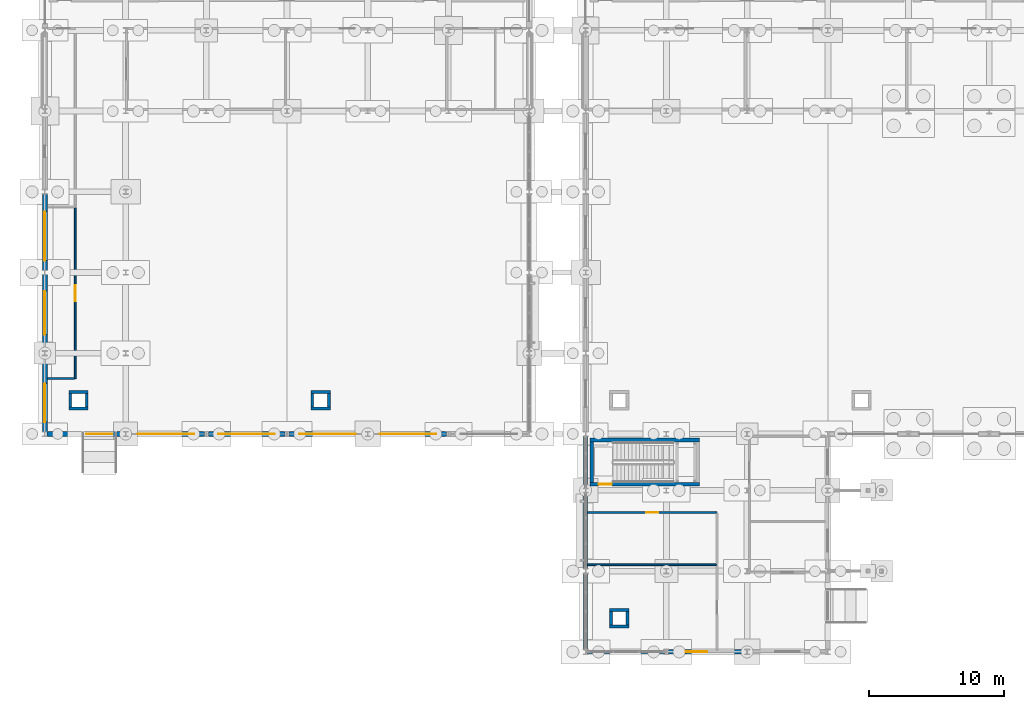
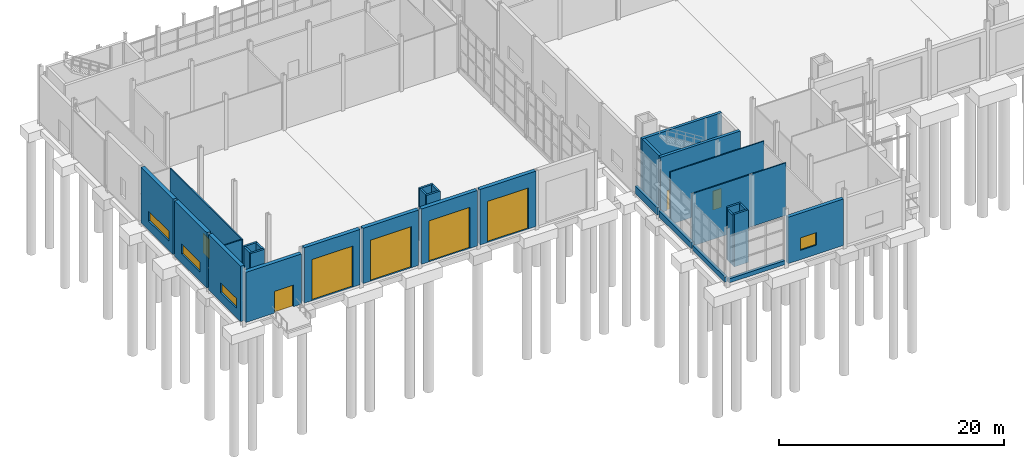
# One storey, part 92 of 120: 32 walls, 8 doors, 4 windows, 12 openings.
"""IFC4 building model written with IfcOpenShell, lengths in metres."""

from ifc_helpers import new_model, si_unit, direction, frame, frame_2d, origin, place, context, subcontext, project, spatial, rectangle, extrude, material, layer, layer_set, type_object, element, fill, save


model = new_model("IFC4")

# Units and contexts
model_context = context("Model", 3, precision=1e-05, world=origin(), true_north=direction((0.0, 1.0)))
body_context = subcontext(model_context, "Body", "Model", "MODEL_VIEW")
ifc_project = project(units=[si_unit("LENGTHUNIT", "METRE"), si_unit("AREAUNIT", "SQUARE_METRE"), si_unit("VOLUMEUNIT", "CUBIC_METRE"), si_unit("PLANEANGLEUNIT", "RADIAN"), si_unit("MASSUNIT", "GRAM", prefix="KILO")], contexts=[model_context])

# Site, building, storey
site_placement = place(None, origin())
site = spatial("IfcSite", under=ifc_project, at=site_placement, CompositionType="ELEMENT")
building_placement = place(site_placement, origin())
building = spatial("IfcBuilding", under=site, at=building_placement, Name="Siltcreek Boulevard Central Fire Station", CompositionType="ELEMENT")
storey_placement = place(building_placement, origin())
storey = spatial("IfcBuildingStorey", under=building, at=storey_placement, Name="L01", CompositionType="ELEMENT", Elevation=0.0)

# Wall, opening, door
ifc_material_1 = material(Name="Concrete C40/50", Category="concrete")
ifc_layer_1 = layer(ifc_material_1, 0.280029296875, Name="Concrete C40/50")
ifc_layer_set_1 = layer_set([ifc_layer_1], Name="Concrete C40/50")
wall_type_1 = type_object("IfcWallType", Name="CW_SHEAR280", PredefinedType="SHEAR", material=ifc_layer_set_1)
wall_1_placement = place(storey_placement, frame((42.320068359375, 14.260009765625, 0.0), z_axis=(0.0, 0.0, 1.0), x_axis=(1.0, 0.0, 0.0)))
wall_1 = element("IfcWall", 1, at=wall_1_placement, inside=storey, type_object=wall_type_1, Name="L01 ST-V1P stair enclosure south shear wall", PredefinedType="SHEAR", context=body_context, shape_type="SweptSolid", body=[
    extrude(rectangle(XDim=8.159912109375, YDim=0.280029296875, at=frame_2d((4.080078125, 0.0))), origin(), (0.0, 0.0, 1.0), 6.0),
])
opening_1_placement = place(wall_1_placement, frame((0.64990234375, 0.0, 0.0)))
opening_1 = element("IfcOpeningElement", 2, at=opening_1_placement, cuts=wall_1, Name="Opening SD-018", PredefinedType="OPENING", context=body_context, shape_type="SweptSolid", body=[
    extrude(rectangle(XDim=0.97998046875, YDim=2.14990234375, at=frame_2d((0.489990234375, 1.074951171875))), frame((0.0, 0.14990234375, 0.0), z_axis=(0.0, -1.0, 0.0), x_axis=(1.0, 0.0, 0.0)), (0.0, 0.0, 1.0), 0.300048828125),
])
ifc_material_2 = material(Name="Hollow metal 90-min enclosed stair door")
door_type_1 = type_object("IfcDoorType", Name="DR_ST_098X215", OperationType="NOTDEFINED", PredefinedType="DOOR", material=ifc_material_2)
door_1_placement = place(opening_1_placement, origin())
door_1 = element("IfcDoor", 3, at=door_1_placement, inside=storey, type_object=door_type_1, Name="L01 ST-V1P enclosed exit stair door SD-018", OperationType="SINGLE_SWING_LEFT", OverallHeight=2.14990234375, OverallWidth=0.97998046875, PredefinedType="DOOR", context=body_context, shape_type="SweptSolid", body=[
    extrude(rectangle(XDim=0.97998046875, YDim=2.14990234375, at=frame_2d((0.489990234375, 1.074951171875))), frame((0.0, 0.02490234375, 0.0), z_axis=(0.0, -1.0, 0.0), x_axis=(1.0, 0.0, 0.0)), (0.0, 0.0, 1.0), 0.050048828125),
])
fill(opening_1, door_1)

# Walls
wall_2_placement = place(storey_placement, frame((50.47998046875, 17.5400390625, 0.0), z_axis=(0.0, 0.0, 1.0), x_axis=(-1.0, 0.0, 0.0)))
element("IfcWall", 4, at=wall_2_placement, inside=storey, type_object=wall_type_1, Name="L01 ST-V1P stair enclosure north shear wall", PredefinedType="SHEAR", context=body_context, shape_type="SweptSolid", body=[
    extrude(rectangle(XDim=8.159912109375, YDim=0.280029296875, at=frame_2d((4.080078125, 0.0))), origin(), (0.0, 0.0, 1.0), 6.0),
])
wall_3_placement = place(storey_placement, frame((42.4599609375, 17.39990234375, 0.0), z_axis=(0.0, 0.0, 1.0), x_axis=(0.0, -1.0, 0.0)))
element("IfcWall", 5, at=wall_3_placement, inside=storey, type_object=wall_type_1, Name="L01 ST-V1P stair enclosure west shear wall", PredefinedType="SHEAR", context=body_context, shape_type="SweptSolid", body=[
    extrude(rectangle(XDim=3.0, YDim=0.280029296875, at=frame_2d((1.5, 0.0))), origin(), (0.0, 0.0, 1.0), 6.0),
])

# Wall, opening, window
ifc_material_3 = material(Name="Terracotta brick rainscreen on steel stud", Category="masonry")
ifc_layer_2 = layer(ifc_material_3, 0.35009765625, Name="Terracotta brick rainscreen on steel stud")
ifc_layer_set_2 = layer_set([ifc_layer_2], Name="Terracotta brick rainscreen on steel stud")
wall_type_2 = type_object("IfcWallType", Name="EW_BRICK350", PredefinedType="STANDARD", material=ifc_layer_set_2)
wall_4_placement = place(storey_placement, frame((48.14501953125, 1.800048828125, 0.0), z_axis=(0.0, 0.0, 1.0), x_axis=(1.0, 0.0, 0.0)))
wall_4 = element("IfcWall", 6, at=wall_4_placement, inside=storey, type_object=wall_type_2, Name="L01 V1 exterior insulated rainscreen wall WL-EXT-L01-0002", PredefinedType="STANDARD", context=body_context, shape_type="SweptSolid", body=[
    extrude(rectangle(XDim=5.7099609375, YDim=0.35009765625, at=frame_2d((2.85498046875, 0.0))), origin(), (0.0, 0.0, 1.0), 5.034912109375),
])
opening_2_placement = place(wall_4_placement, frame((1.3046875, 0.0, 1.0)))
opening_2 = element("IfcOpeningElement", 7, at=opening_2_placement, cuts=wall_4, Name="Opening WN07", PredefinedType="OPENING", context=body_context, shape_type="SweptSolid", body=[
    extrude(rectangle(XDim=1.60009765625, YDim=1.360107421875, at=frame_2d((0.800048828125, 0.68017578125))), frame((0.0, 0.18505859375, 0.0), z_axis=(0.0, -1.0, 0.0), x_axis=(1.0, 0.0, 0.0)), (0.0, 0.0, 1.0), 0.3701171875),
])
ifc_material_4 = material(Name="Thermally broken aluminum frame with low-E insulated glass", Category="aluminium")
window_type_1 = type_object("IfcWindowType", Name="WN_PB_160X136", PartitioningType="SINGLE_PANEL", PredefinedType="WINDOW", material=ifc_material_4)
window_1_placement = place(opening_2_placement, origin())
window_1 = element("IfcWindow", 8, at=window_1_placement, inside=storey, type_object=window_type_1, Name="L01 V1 exterior window WN-0001", OverallHeight=1.360107421875, OverallWidth=1.60009765625, PartitioningType="SINGLE_PANEL", PredefinedType="WINDOW", context=body_context, shape_type="SweptSolid", body=[
    extrude(rectangle(XDim=1.60009765625, YDim=1.360107421875, at=frame_2d((0.800048828125, 0.68017578125))), frame((0.0, 0.030029296875, 0.0), z_axis=(0.0, -1.0, 0.0), x_axis=(1.0, 0.0, 0.0)), (0.0, 0.0, 1.0), 0.06005859375),
])
fill(opening_2, window_1)

# Wall, opening, door
ifc_material_5 = material(Name="Terracotta brick rainscreen on insulated CMU", Category="masonry")
ifc_layer_3 = layer(ifc_material_5, 0.389892578125, Name="Terracotta brick rainscreen on insulated CMU")
ifc_layer_set_3 = layer_set([ifc_layer_3], Name="Terracotta brick rainscreen on insulated CMU")
wall_type_3 = type_object("IfcWallType", Name="EW_BRICK390", PredefinedType="STANDARD", material=ifc_layer_set_3)
wall_5_placement = place(storey_placement, frame((1.945068359375, 18.0, 0.0), z_axis=(0.0, 0.0, 1.0), x_axis=(1.0, 0.0, 0.0)))
wall_5 = element("IfcWall", 9, at=wall_5_placement, inside=storey, type_object=wall_type_3, Name="L01 V4 exterior insulated rainscreen wall WL-EXT-L01-0223", PredefinedType="STANDARD", context=body_context, shape_type="SweptSolid", body=[
    extrude(rectangle(XDim=5.7099609375, YDim=0.389892578125, at=frame_2d((2.85498046875, 0.0))), origin(), (0.0, 0.0, 1.0), 5.43310546875),
])
opening_3_placement = place(wall_5_placement, frame((2.929931640625, 0.0, 0.0)))
opening_3 = element("IfcOpeningElement", 10, at=opening_3_placement, cuts=wall_5, Name="Opening ED-118", PredefinedType="OPENING", context=body_context, shape_type="SweptSolid", body=[
    extrude(rectangle(XDim=1.949951171875, YDim=2.35009765625, at=frame_2d((0.97509765625, 1.175048828125))), frame((0.0, 0.204833984375, 0.0), z_axis=(0.0, -1.0, 0.0), x_axis=(1.0, 0.0, 0.0)), (0.0, 0.0, 1.0), 0.409912109375),
])
ifc_material_6 = material(Name="Hollow metal insulated exit discharge pair")
door_type_2 = type_object("IfcDoorType", Name="DR_EXT_195X235", OperationType="NOTDEFINED", PredefinedType="DOOR", material=ifc_material_6)
door_2_placement = place(opening_3_placement, frame((1.949951171875, 0.0, 0.0), z_axis=(0.0, 0.0, 1.0), x_axis=(-1.0, 0.0, 0.0)))
door_2 = element("IfcDoor", 11, at=door_2_placement, inside=storey, type_object=door_type_2, Name="Ground level pedestrian final exit door ED-118", OperationType="DOUBLE_DOOR_SINGLE_SWING", OverallHeight=2.35009765625, OverallWidth=1.949951171875, PredefinedType="DOOR", context=body_context, shape_type="SweptSolid", body=[
    extrude(rectangle(XDim=1.949951171875, YDim=2.35009765625, at=frame_2d((0.97509765625, 1.175048828125))), frame((0.0, 0.02490234375, 0.0), z_axis=(0.0, -1.0, 0.0), x_axis=(1.0, 0.0, 0.0)), (0.0, 0.0, 1.0), 0.050048828125),
])
fill(opening_3, door_2)

wall_6_placement = place(storey_placement, frame((7.945068359375, 18.0, 0.0), z_axis=(0.0, 0.0, 1.0), x_axis=(1.0, 0.0, 0.0)))
wall_6 = element("IfcWall", 12, at=wall_6_placement, inside=storey, type_object=wall_type_3, Name="L01 V4 exterior insulated rainscreen wall WL-EXT-L01-0224", PredefinedType="STANDARD", context=body_context, shape_type="SweptSolid", body=[
    extrude(rectangle(XDim=5.7099609375, YDim=0.389892578125, at=frame_2d((2.85498046875, 0.0))), origin(), (0.0, 0.0, 1.0), 6.0),
])
opening_4_placement = place(wall_6_placement, frame((0.7548828125, 0.0, 0.0)))
opening_4 = element("IfcOpeningElement", 13, at=opening_4_placement, cuts=wall_6, Name="Opening FBD-19", PredefinedType="OPENING", context=body_context, shape_type="SweptSolid", body=[
    extrude(rectangle(XDim=4.199951171875, YDim=4.449951171875, at=frame_2d((2.10009765625, 2.22509765625))), frame((0.0, 0.204833984375, 0.0), z_axis=(0.0, -1.0, 0.0), x_axis=(1.0, 0.0, 0.0)), (0.0, 0.0, 1.0), 0.409912109375),
])
ifc_material_7 = material(Name="Insulated glazed sectional fleet bay door")
door_type_3 = type_object("IfcDoorType", Name="DR_BAY_420X445", OperationType="NOTDEFINED", PredefinedType="DOOR", material=ifc_material_7)
door_3_placement = place(opening_4_placement, frame((4.199951171875, 0.0, 0.0), z_axis=(0.0, 0.0, 1.0), x_axis=(-1.0, 0.0, 0.0)))
door_3 = element("IfcDoor", 14, at=door_3_placement, inside=storey, type_object=door_type_3, Name="Fleet overhead vehicle bay door FBD-19", OperationType="ROLLINGUP", OverallHeight=4.449951171875, OverallWidth=4.199951171875, PredefinedType="DOOR", context=body_context, shape_type="SweptSolid", body=[
    extrude(rectangle(XDim=4.199951171875, YDim=4.449951171875, at=frame_2d((2.10009765625, 2.22509765625))), frame((0.0, 0.02490234375, 0.0), z_axis=(0.0, -1.0, 0.0), x_axis=(1.0, 0.0, 0.0)), (0.0, 0.0, 1.0), 0.050048828125),
])
fill(opening_4, door_3)

wall_7_placement = place(storey_placement, frame((13.945068359375, 18.0, 0.0), z_axis=(0.0, 0.0, 1.0), x_axis=(1.0, 0.0, 0.0)))
wall_7 = element("IfcWall", 15, at=wall_7_placement, inside=storey, type_object=wall_type_3, Name="L01 V4 exterior insulated rainscreen wall WL-EXT-L01-0225", PredefinedType="STANDARD", context=body_context, shape_type="SweptSolid", body=[
    extrude(rectangle(XDim=5.7099609375, YDim=0.389892578125, at=frame_2d((2.85498046875, 0.0))), origin(), (0.0, 0.0, 1.0), 6.0),
])
opening_5_placement = place(wall_7_placement, frame((0.7548828125, 0.0, 0.0)))
opening_5 = element("IfcOpeningElement", 16, at=opening_5_placement, cuts=wall_7, Name="Opening FBD-20", PredefinedType="OPENING", context=body_context, shape_type="SweptSolid", body=[
    extrude(rectangle(XDim=4.199951171875, YDim=4.449951171875, at=frame_2d((2.10009765625, 2.22509765625))), frame((0.0, 0.204833984375, 0.0), z_axis=(0.0, -1.0, 0.0), x_axis=(1.0, 0.0, 0.0)), (0.0, 0.0, 1.0), 0.409912109375),
])
door_4_placement = place(opening_5_placement, frame((4.199951171875, 0.0, 0.0), z_axis=(0.0, 0.0, 1.0), x_axis=(-1.0, 0.0, 0.0)))
door_4 = element("IfcDoor", 17, at=door_4_placement, inside=storey, type_object=door_type_3, Name="Fleet overhead vehicle bay door FBD-20", OperationType="ROLLINGUP", OverallHeight=4.449951171875, OverallWidth=4.199951171875, PredefinedType="DOOR", context=body_context, shape_type="SweptSolid", body=[
    extrude(rectangle(XDim=4.199951171875, YDim=4.449951171875, at=frame_2d((2.10009765625, 2.22509765625))), frame((0.0, 0.02490234375, 0.0), z_axis=(0.0, -1.0, 0.0), x_axis=(1.0, 0.0, 0.0)), (0.0, 0.0, 1.0), 0.050048828125),
])
fill(opening_5, door_4)

wall_8_placement = place(storey_placement, frame((19.945068359375, 18.0, 0.0), z_axis=(0.0, 0.0, 1.0), x_axis=(1.0, 0.0, 0.0)))
wall_8 = element("IfcWall", 18, at=wall_8_placement, inside=storey, type_object=wall_type_3, Name="L01 V4 exterior insulated rainscreen wall WL-EXT-L01-0226", PredefinedType="STANDARD", context=body_context, shape_type="SweptSolid", body=[
    extrude(rectangle(XDim=5.7099609375, YDim=0.389892578125, at=frame_2d((2.85498046875, 0.0))), origin(), (0.0, 0.0, 1.0), 6.0),
])
opening_6_placement = place(wall_8_placement, frame((0.7548828125, 0.0, 0.0)))
opening_6 = element("IfcOpeningElement", 19, at=opening_6_placement, cuts=wall_8, Name="Opening FBD-21", PredefinedType="OPENING", context=body_context, shape_type="SweptSolid", body=[
    extrude(rectangle(XDim=4.199951171875, YDim=4.449951171875, at=frame_2d((2.10009765625, 2.22509765625))), frame((0.0, 0.204833984375, 0.0), z_axis=(0.0, -1.0, 0.0), x_axis=(1.0, 0.0, 0.0)), (0.0, 0.0, 1.0), 0.409912109375),
])
door_5_placement = place(opening_6_placement, frame((4.199951171875, 0.0, 0.0), z_axis=(0.0, 0.0, 1.0), x_axis=(-1.0, 0.0, 0.0)))
door_5 = element("IfcDoor", 20, at=door_5_placement, inside=storey, type_object=door_type_3, Name="Fleet overhead vehicle bay door FBD-21", OperationType="ROLLINGUP", OverallHeight=4.449951171875, OverallWidth=4.199951171875, PredefinedType="DOOR", context=body_context, shape_type="SweptSolid", body=[
    extrude(rectangle(XDim=4.199951171875, YDim=4.449951171875, at=frame_2d((2.10009765625, 2.22509765625))), frame((0.0, 0.02490234375, 0.0), z_axis=(0.0, -1.0, 0.0), x_axis=(1.0, 0.0, 0.0)), (0.0, 0.0, 1.0), 0.050048828125),
])
fill(opening_6, door_5)

wall_9_placement = place(storey_placement, frame((25.945068359375, 18.0, 0.0), z_axis=(0.0, 0.0, 1.0), x_axis=(1.0, 0.0, 0.0)))
wall_9 = element("IfcWall", 21, at=wall_9_placement, inside=storey, type_object=wall_type_3, Name="L01 V4 exterior insulated rainscreen wall WL-EXT-L01-0227", PredefinedType="STANDARD", context=body_context, shape_type="SweptSolid", body=[
    extrude(rectangle(XDim=5.7099609375, YDim=0.389892578125, at=frame_2d((2.85498046875, 0.0))), origin(), (0.0, 0.0, 1.0), 6.0),
])
opening_7_placement = place(wall_9_placement, frame((0.7548828125, 0.0, 0.0)))
opening_7 = element("IfcOpeningElement", 22, at=opening_7_placement, cuts=wall_9, Name="Opening FBD-22", PredefinedType="OPENING", context=body_context, shape_type="SweptSolid", body=[
    extrude(rectangle(XDim=4.199951171875, YDim=4.449951171875, at=frame_2d((2.10009765625, 2.22509765625))), frame((0.0, 0.204833984375, 0.0), z_axis=(0.0, -1.0, 0.0), x_axis=(1.0, 0.0, 0.0)), (0.0, 0.0, 1.0), 0.409912109375),
])
door_6_placement = place(opening_7_placement, frame((4.199951171875, 0.0, 0.0), z_axis=(0.0, 0.0, 1.0), x_axis=(-1.0, 0.0, 0.0)))
door_6 = element("IfcDoor", 23, at=door_6_placement, inside=storey, type_object=door_type_3, Name="Fleet overhead vehicle bay door FBD-22", OperationType="ROLLINGUP", OverallHeight=4.449951171875, OverallWidth=4.199951171875, PredefinedType="DOOR", context=body_context, shape_type="SweptSolid", body=[
    extrude(rectangle(XDim=4.199951171875, YDim=4.449951171875, at=frame_2d((2.10009765625, 2.22509765625))), frame((0.0, 0.02490234375, 0.0), z_axis=(0.0, -1.0, 0.0), x_axis=(1.0, 0.0, 0.0)), (0.0, 0.0, 1.0), 0.050048828125),
])
fill(opening_7, door_6)

# Wall, opening, window
wall_10_placement = place(storey_placement, frame((1.800048828125, 23.85498046875, 0.0), z_axis=(0.0, 0.0, 1.0), x_axis=(0.0, -1.0, 0.0)))
wall_10 = element("IfcWall", 24, at=wall_10_placement, inside=storey, type_object=wall_type_3, Name="L01 V4 exterior insulated rainscreen wall WL-EXT-L01-0235", PredefinedType="STANDARD", context=body_context, shape_type="SweptSolid", body=[
    extrude(rectangle(XDim=5.7099609375, YDim=0.389892578125, at=frame_2d((2.85498046875, 0.0))), origin(), (0.0, 0.0, 1.0), 6.0),
])
opening_8_placement = place(wall_10_placement, frame((2.12109375, 0.0, 1.0)))
opening_8 = element("IfcOpeningElement", 25, at=opening_8_placement, cuts=wall_10, Name="Opening WN32", PredefinedType="OPENING", context=body_context, shape_type="SweptSolid", body=[
    extrude(rectangle(XDim=2.85009765625, YDim=1.080078125, at=frame_2d((1.425048828125, 0.5400390625))), frame((0.0, 0.204833984375, 0.0), z_axis=(0.0, -1.0, 0.0), x_axis=(1.0, 0.0, 0.0)), (0.0, 0.0, 1.0), 0.409912109375),
])
window_type_2 = type_object("IfcWindowType", Name="WN_CL_285X108", PartitioningType="SINGLE_PANEL", PredefinedType="WINDOW", material=ifc_material_4)
window_2_placement = place(opening_8_placement, origin())
window_2 = element("IfcWindow", 26, at=window_2_placement, inside=storey, type_object=window_type_2, Name="L01 V4 exterior window WN-0099", OverallHeight=1.080078125, OverallWidth=2.85009765625, PartitioningType="SINGLE_PANEL", PredefinedType="WINDOW", context=body_context, shape_type="SweptSolid", body=[
    extrude(rectangle(XDim=2.85009765625, YDim=1.080078125, at=frame_2d((1.425048828125, 0.5400390625))), frame((0.0, 0.030029296875, 0.0), z_axis=(0.0, -1.0, 0.0), x_axis=(1.0, 0.0, 0.0)), (0.0, 0.0, 1.0), 0.06005859375),
])
fill(opening_8, window_2)

wall_11_placement = place(storey_placement, frame((1.800048828125, 29.85498046875, 0.0), z_axis=(0.0, 0.0, 1.0), x_axis=(0.0, -1.0, 0.0)))
wall_11 = element("IfcWall", 27, at=wall_11_placement, inside=storey, type_object=wall_type_3, Name="L01 V4 exterior insulated rainscreen wall WL-EXT-L01-0236", PredefinedType="STANDARD", context=body_context, shape_type="SweptSolid", body=[
    extrude(rectangle(XDim=5.7099609375, YDim=0.389892578125, at=frame_2d((2.85498046875, 0.0))), origin(), (0.0, 0.0, 1.0), 6.0),
])
opening_9_placement = place(wall_11_placement, frame((1.22998046875, 0.0, 1.0)))
opening_9 = element("IfcOpeningElement", 28, at=opening_9_placement, cuts=wall_11, Name="Opening WN33", PredefinedType="OPENING", context=body_context, shape_type="SweptSolid", body=[
    extrude(rectangle(XDim=3.25, YDim=1.080078125, at=frame_2d((1.625, 0.5400390625))), frame((0.0, 0.204833984375, 0.0), z_axis=(0.0, -1.0, 0.0), x_axis=(1.0, 0.0, 0.0)), (0.0, 0.0, 1.0), 0.409912109375),
])
window_type_3 = type_object("IfcWindowType", Name="WN_CL_325X108", PartitioningType="SINGLE_PANEL", PredefinedType="WINDOW", material=ifc_material_4)
window_3_placement = place(opening_9_placement, origin())
window_3 = element("IfcWindow", 29, at=window_3_placement, inside=storey, type_object=window_type_3, Name="L01 V4 exterior window WN-0100", OverallHeight=1.080078125, OverallWidth=3.25, PartitioningType="SINGLE_PANEL", PredefinedType="WINDOW", context=body_context, shape_type="SweptSolid", body=[
    extrude(rectangle(XDim=3.25, YDim=1.080078125, at=frame_2d((1.625, 0.5400390625))), frame((0.0, 0.030029296875, 0.0), z_axis=(0.0, -1.0, 0.0), x_axis=(1.0, 0.0, 0.0)), (0.0, 0.0, 1.0), 0.06005859375),
])
fill(opening_9, window_3)

wall_12_placement = place(storey_placement, frame((1.800048828125, 35.85498046875, 0.0), z_axis=(0.0, 0.0, 1.0), x_axis=(0.0, -1.0, 0.0)))
wall_12 = element("IfcWall", 30, at=wall_12_placement, inside=storey, type_object=wall_type_3, Name="L01 V4 exterior insulated rainscreen wall WL-EXT-L01-0237", PredefinedType="STANDARD", context=body_context, shape_type="SweptSolid", body=[
    extrude(rectangle(XDim=5.7099609375, YDim=0.389892578125, at=frame_2d((2.85498046875, 0.0))), origin(), (0.0, 0.0, 1.0), 6.0),
])
opening_10_placement = place(wall_12_placement, frame((1.3291015625, 0.0, 1.0)))
opening_10 = element("IfcOpeningElement", 31, at=opening_10_placement, cuts=wall_12, Name="Opening WN34", PredefinedType="OPENING", context=body_context, shape_type="SweptSolid", body=[
    extrude(rectangle(XDim=3.64990234375, YDim=1.080078125, at=frame_2d((1.824951171875, 0.5400390625))), frame((0.0, 0.204833984375, 0.0), z_axis=(0.0, -1.0, 0.0), x_axis=(1.0, 0.0, 0.0)), (0.0, 0.0, 1.0), 0.409912109375),
])
window_type_4 = type_object("IfcWindowType", Name="WN_CL_365X108", PartitioningType="SINGLE_PANEL", PredefinedType="WINDOW", material=ifc_material_4)
window_4_placement = place(opening_10_placement, origin())
window_4 = element("IfcWindow", 32, at=window_4_placement, inside=storey, type_object=window_type_4, Name="L01 V4 exterior window WN-0101", OverallHeight=1.080078125, OverallWidth=3.64990234375, PartitioningType="SINGLE_PANEL", PredefinedType="WINDOW", context=body_context, shape_type="SweptSolid", body=[
    extrude(rectangle(XDim=3.64990234375, YDim=1.080078125, at=frame_2d((1.824951171875, 0.5400390625))), frame((0.0, 0.030029296875, 0.0), z_axis=(0.0, -1.0, 0.0), x_axis=(1.0, 0.0, 0.0)), (0.0, 0.0, 1.0), 0.06005859375),
])
fill(opening_10, window_4)

# Walls
ifc_material_8 = material(Name="White ribbed aluminum spandrel wall", Category="aluminium")
ifc_layer_4 = layer(ifc_material_8, 0.2900390625, Name="White ribbed aluminum spandrel wall")
ifc_layer_set_4 = layer_set([ifc_layer_4], Name="White ribbed aluminum spandrel wall")
wall_type_4 = type_object("IfcWallType", Name="EW_METAL290", PredefinedType="STANDARD", material=ifc_layer_set_4)
wall_13_placement = place(storey_placement, frame((42.14501953125, 1.800048828125, 0.0), z_axis=(0.0, 0.0, 1.0), x_axis=(1.0, 0.0, 0.0)))
element("IfcWall", 33, at=wall_13_placement, inside=storey, type_object=wall_type_4, Name="L01 V1 curtain-wall sill spandrel 0001", PredefinedType="STANDARD", context=body_context, shape_type="SweptSolid", body=[
    extrude(rectangle(XDim=5.7099609375, YDim=0.2900390625, at=frame_2d((2.85498046875, 0.0))), origin(), (0.0, 0.0, 1.0), 0.43994140625),
])
wall_14_placement = place(storey_placement, frame((42.0, 7.655029296875, 0.0), z_axis=(0.0, 0.0, 1.0), x_axis=(0.0, -1.0, 0.0)))
element("IfcWall", 34, at=wall_14_placement, inside=storey, type_object=wall_type_4, Name="L01 V1 curtain-wall sill spandrel 0017", PredefinedType="STANDARD", context=body_context, shape_type="SweptSolid", body=[
    extrude(rectangle(XDim=5.7099609375, YDim=0.2900390625, at=frame_2d((2.85498046875, 0.0))), origin(), (0.0, 0.0, 1.0), 0.56005859375),
])
wall_15_placement = place(storey_placement, frame((42.0, 13.655029296875, 0.0), z_axis=(0.0, 0.0, 1.0), x_axis=(0.0, -1.0, 0.0)))
element("IfcWall", 35, at=wall_15_placement, inside=storey, type_object=wall_type_4, Name="L01 V1 curtain-wall sill spandrel 0018", PredefinedType="STANDARD", context=body_context, shape_type="SweptSolid", body=[
    extrude(rectangle(XDim=5.7099609375, YDim=0.2900390625, at=frame_2d((2.85498046875, 0.0))), origin(), (0.0, 0.0, 1.0), 0.679931640625),
])
wall_16_placement = place(storey_placement, frame((42.0, 17.85498046875, 0.0), z_axis=(0.0, 0.0, 1.0), x_axis=(0.0, -1.0, 0.0)))
element("IfcWall", 36, at=wall_16_placement, inside=storey, type_object=wall_type_4, Name="L01 V1 curtain-wall sill spandrel 0019", PredefinedType="STANDARD", context=body_context, shape_type="SweptSolid", body=[
    extrude(rectangle(XDim=3.909912109375, YDim=0.2900390625, at=frame_2d((1.955078125, 0.0))), origin(), (0.0, 0.0, 1.0), 0.800048828125),
])
ifc_material_9 = material(Name="Fire-rated concrete masonry and gypsum barrier", Category="masonry")
ifc_layer_5 = layer(ifc_material_9, 0.199951171875, Name="Fire-rated concrete masonry and gypsum barrier")
ifc_layer_set_5 = layer_set([ifc_layer_5], Name="Fire-rated concrete masonry and gypsum barrier")
wall_type_5 = type_object("IfcWallType", Name="IW_FIRE200", PredefinedType="PARTITIONING", material=ifc_layer_set_5)
wall_17_placement = place(storey_placement, frame((3.5849609375, 19.885009765625, 0.0), z_axis=(0.0, 0.0, 1.0), x_axis=(1.0, 0.0, 0.0)))
element("IfcWall", 37, at=wall_17_placement, inside=storey, type_object=wall_type_5, Name="L01 enclosed MEP service riser wall 004-S", PredefinedType="PARTITIONING", context=body_context, shape_type="SweptSolid", body=[
    extrude(rectangle(XDim=1.429931640625, YDim=0.199951171875, at=frame_2d((0.71484375, 0.0))), origin(), (0.0, 0.0, 1.0), 5.679931640625),
])
wall_18_placement = place(storey_placement, frame((4.9150390625, 19.985107421875, 0.0), z_axis=(0.0, 0.0, 1.0), x_axis=(0.0, 1.0, 0.0)))
element("IfcWall", 38, at=wall_18_placement, inside=storey, type_object=wall_type_5, Name="L01 enclosed MEP service riser wall 004-E", PredefinedType="PARTITIONING", context=body_context, shape_type="SweptSolid", body=[
    extrude(rectangle(XDim=1.02978515625, YDim=0.199951171875, at=frame_2d((0.514892578125, 0.0))), origin(), (0.0, 0.0, 1.0), 5.679931640625),
])
wall_19_placement = place(storey_placement, frame((5.014892578125, 21.114990234375, 0.0), z_axis=(0.0, 0.0, 1.0), x_axis=(-1.0, 0.0, 0.0)))
element("IfcWall", 39, at=wall_19_placement, inside=storey, type_object=wall_type_5, Name="L01 enclosed MEP service riser wall 004-N", PredefinedType="PARTITIONING", context=body_context, shape_type="SweptSolid", body=[
    extrude(rectangle(XDim=1.429931640625, YDim=0.199951171875, at=frame_2d((0.71484375, 0.0))), origin(), (0.0, 0.0, 1.0), 5.679931640625),
])
wall_20_placement = place(storey_placement, frame((3.68505859375, 21.014892578125, 0.0), z_axis=(0.0, 0.0, 1.0), x_axis=(0.0, -1.0, 0.0)))
element("IfcWall", 40, at=wall_20_placement, inside=storey, type_object=wall_type_5, Name="L01 enclosed MEP service riser wall 004-W", PredefinedType="PARTITIONING", context=body_context, shape_type="SweptSolid", body=[
    extrude(rectangle(XDim=1.02978515625, YDim=0.199951171875, at=frame_2d((0.514892578125, 0.0))), origin(), (0.0, 0.0, 1.0), 5.679931640625),
])
wall_21_placement = place(storey_placement, frame((21.5849609375, 19.885009765625, 0.0), z_axis=(0.0, 0.0, 1.0), x_axis=(1.0, 0.0, 0.0)))
element("IfcWall", 41, at=wall_21_placement, inside=storey, type_object=wall_type_5, Name="L01 enclosed MEP service riser wall 005-S", PredefinedType="PARTITIONING", context=body_context, shape_type="SweptSolid", body=[
    extrude(rectangle(XDim=1.429931640625, YDim=0.199951171875, at=frame_2d((0.71484375, 0.0))), origin(), (0.0, 0.0, 1.0), 5.679931640625),
])
wall_22_placement = place(storey_placement, frame((22.9150390625, 19.985107421875, 0.0), z_axis=(0.0, 0.0, 1.0), x_axis=(0.0, 1.0, 0.0)))
element("IfcWall", 42, at=wall_22_placement, inside=storey, type_object=wall_type_5, Name="L01 enclosed MEP service riser wall 005-E", PredefinedType="PARTITIONING", context=body_context, shape_type="SweptSolid", body=[
    extrude(rectangle(XDim=1.02978515625, YDim=0.199951171875, at=frame_2d((0.514892578125, 0.0))), origin(), (0.0, 0.0, 1.0), 5.679931640625),
])
wall_23_placement = place(storey_placement, frame((23.014892578125, 21.114990234375, 0.0), z_axis=(0.0, 0.0, 1.0), x_axis=(-1.0, 0.0, 0.0)))
element("IfcWall", 43, at=wall_23_placement, inside=storey, type_object=wall_type_5, Name="L01 enclosed MEP service riser wall 005-N", PredefinedType="PARTITIONING", context=body_context, shape_type="SweptSolid", body=[
    extrude(rectangle(XDim=1.429931640625, YDim=0.199951171875, at=frame_2d((0.71484375, 0.0))), origin(), (0.0, 0.0, 1.0), 5.679931640625),
])
wall_24_placement = place(storey_placement, frame((21.68505859375, 21.014892578125, 0.0), z_axis=(0.0, 0.0, 1.0), x_axis=(0.0, -1.0, 0.0)))
element("IfcWall", 44, at=wall_24_placement, inside=storey, type_object=wall_type_5, Name="L01 enclosed MEP service riser wall 005-W", PredefinedType="PARTITIONING", context=body_context, shape_type="SweptSolid", body=[
    extrude(rectangle(XDim=1.02978515625, YDim=0.199951171875, at=frame_2d((0.514892578125, 0.0))), origin(), (0.0, 0.0, 1.0), 5.679931640625),
])
wall_25_placement = place(storey_placement, frame((43.784912109375, 3.68505859375, 0.0), z_axis=(0.0, 0.0, 1.0), x_axis=(1.0, 0.0, 0.0)))
element("IfcWall", 45, at=wall_25_placement, inside=storey, type_object=wall_type_5, Name="L01 enclosed MEP service riser wall 006-S", PredefinedType="PARTITIONING", context=body_context, shape_type="SweptSolid", body=[
    extrude(rectangle(XDim=1.43017578125, YDim=0.199951171875, at=frame_2d((0.715087890625, 0.0))), origin(), (0.0, 0.0, 1.0), 5.679931640625),
])
wall_26_placement = place(storey_placement, frame((45.114990234375, 3.784912109375, 0.0), z_axis=(0.0, 0.0, 1.0), x_axis=(0.0, 1.0, 0.0)))
element("IfcWall", 46, at=wall_26_placement, inside=storey, type_object=wall_type_5, Name="L01 enclosed MEP service riser wall 006-E", PredefinedType="PARTITIONING", context=body_context, shape_type="SweptSolid", body=[
    extrude(rectangle(XDim=1.030029296875, YDim=0.199951171875, at=frame_2d((0.51513671875, 0.0))), origin(), (0.0, 0.0, 1.0), 5.679931640625),
])
wall_27_placement = place(storey_placement, frame((45.215087890625, 4.9150390625, 0.0), z_axis=(0.0, 0.0, 1.0), x_axis=(-1.0, 0.0, 0.0)))
element("IfcWall", 47, at=wall_27_placement, inside=storey, type_object=wall_type_5, Name="L01 enclosed MEP service riser wall 006-N", PredefinedType="PARTITIONING", context=body_context, shape_type="SweptSolid", body=[
    extrude(rectangle(XDim=1.43017578125, YDim=0.199951171875, at=frame_2d((0.715087890625, 0.0))), origin(), (0.0, 0.0, 1.0), 5.679931640625),
])
wall_28_placement = place(storey_placement, frame((43.885009765625, 4.81494140625, 0.0), z_axis=(0.0, 0.0, 1.0), x_axis=(0.0, -1.0, 0.0)))
element("IfcWall", 48, at=wall_28_placement, inside=storey, type_object=wall_type_5, Name="L01 enclosed MEP service riser wall 006-W", PredefinedType="PARTITIONING", context=body_context, shape_type="SweptSolid", body=[
    extrude(rectangle(XDim=1.030029296875, YDim=0.199951171875, at=frame_2d((0.51513671875, 0.0))), origin(), (0.0, 0.0, 1.0), 5.389892578125),
])

# Wall, opening, door
ifc_material_10 = material(Name="Interior steel stud gypsum partition", Category="steel")
ifc_layer_6 = layer(ifc_material_10, 0.125, Name="Interior steel stud gypsum partition")
ifc_layer_set_6 = layer_set([ifc_layer_6], Name="Interior steel stud gypsum partition")
wall_type_6 = type_object("IfcWallType", Name="IW_PART125", PredefinedType="PARTITIONING", material=ifc_layer_set_6)
wall_29_placement = place(storey_placement, frame((4.06005859375, 34.8173828125, 0.0), z_axis=(0.0, 0.0, 1.0), x_axis=(0.0, -1.0, 0.0)))
wall_29 = element("IfcWall", 49, at=wall_29_placement, inside=storey, type_object=wall_type_6, Name="L01 Fleet Diagnostic Workshop partition 0016", PredefinedType="PARTITIONING", context=body_context, shape_type="SweptSolid", body=[
    extrude(rectangle(XDim=12.699951171875, YDim=0.125, at=frame_2d((6.35009765625, 0.0))), origin(), (0.0, 0.0, 1.0), 5.679931640625),
])
opening_11_placement = place(wall_29_placement, frame((5.760009765625, 0.0, 0.0)))
opening_11 = element("IfcOpeningElement", 50, at=opening_11_placement, cuts=wall_29, Name="Opening ID13", PredefinedType="OPENING", context=body_context, shape_type="SweptSolid", body=[
    extrude(rectangle(XDim=1.179931640625, YDim=2.159912109375, at=frame_2d((0.58984375, 1.080078125))), frame((0.0, 0.072509765625, 0.0), z_axis=(0.0, -1.0, 0.0), x_axis=(1.0, 0.0, 0.0)), (0.0, 0.0, 1.0), 0.14501953125),
])
ifc_material_11 = material(Name="Antimicrobial walk-in triage door")
door_type_4 = type_object("IfcDoorType", Name="DR_MED_118X216", OperationType="NOTDEFINED", PredefinedType="DOOR", material=ifc_material_11)
door_7_placement = place(opening_11_placement, frame((1.179931640625, 0.0, 0.0), z_axis=(0.0, 0.0, 1.0), x_axis=(-1.0, 0.0, 0.0)))
door_7 = element("IfcDoor", 51, at=door_7_placement, inside=storey, type_object=door_type_4, Name="L01 Fleet Diagnostic Workshop door ID-0008", OperationType="SINGLE_SWING_LEFT", OverallHeight=2.159912109375, OverallWidth=1.179931640625, PredefinedType="DOOR", context=body_context, shape_type="SweptSolid", body=[
    extrude(rectangle(XDim=1.179931640625, YDim=2.159912109375, at=frame_2d((0.58984375, 1.080078125))), frame((0.0, 0.02490234375, 0.0), z_axis=(0.0, -1.0, 0.0), x_axis=(1.0, 0.0, 0.0)), (0.0, 0.0, 1.0), 0.050048828125),
])
fill(opening_11, door_7)

# Walls
wall_30_placement = place(storey_placement, frame((3.99755859375, 22.1201171875, 0.0), z_axis=(0.0, 0.0, 1.0), x_axis=(-1.0, 0.0, 0.0)))
element("IfcWall", 52, at=wall_30_placement, inside=storey, type_object=wall_type_6, Name="L01 Fleet Diagnostic Workshop partition 0017", PredefinedType="PARTITIONING", context=body_context, shape_type="SweptSolid", body=[
    extrude(rectangle(XDim=2.00244140625, YDim=0.125, at=frame_2d((1.001220703125, 0.0))), origin(), (0.0, 0.0, 1.0), 5.679931640625),
])
wall_31_placement = place(storey_placement, frame((42.14501953125, 8.280029296875, 0.0), z_axis=(0.0, 0.0, 1.0), x_axis=(1.0, 0.0, 0.0)))
element("IfcWall", 53, at=wall_31_placement, inside=storey, type_object=wall_type_6, Name="L01 Watch Room and Station Alerting Desk partition 0033", PredefinedType="PARTITIONING", context=body_context, shape_type="SweptSolid", body=[
    extrude(rectangle(XDim=9.617431640625, YDim=0.125, at=frame_2d((4.80859375, 0.0))), origin(), (0.0, 0.0, 1.0), 5.679931640625),
])

# Wall, opening, door
wall_32_placement = place(storey_placement, frame((42.14501953125, 12.159912109375, 0.0), z_axis=(0.0, 0.0, 1.0), x_axis=(1.0, 0.0, 0.0)))
wall_32 = element("IfcWall", 54, at=wall_32_placement, inside=storey, type_object=wall_type_6, Name="L01 Walk-In Triage Aid Room partition 0035", PredefinedType="PARTITIONING", context=body_context, shape_type="SweptSolid", body=[
    extrude(rectangle(XDim=9.617431640625, YDim=0.125, at=frame_2d((4.80859375, 0.0))), origin(), (0.0, 0.0, 1.0), 5.679931640625),
])
opening_12_placement = place(wall_32_placement, frame((4.373779296875, 0.0, 0.0)))
opening_12 = element("IfcOpeningElement", 55, at=opening_12_placement, cuts=wall_32, Name="Opening ID09", PredefinedType="OPENING", context=body_context, shape_type="SweptSolid", body=[
    extrude(rectangle(XDim=0.8701171875, YDim=2.06005859375, at=frame_2d((0.43505859375, 1.030029296875))), frame((0.0, 0.072509765625, 0.0), z_axis=(0.0, -1.0, 0.0), x_axis=(1.0, 0.0, 0.0)), (0.0, 0.0, 1.0), 0.14501953125),
])
ifc_material_12 = material(Name="Moisture-resistant staff toilet door")
door_type_5 = type_object("IfcDoorType", Name="DR_WC_087X206", OperationType="NOTDEFINED", PredefinedType="DOOR", material=ifc_material_12)
door_8_placement = place(opening_12_placement, frame((0.8701171875, 0.0, 0.0), z_axis=(0.0, 0.0, 1.0), x_axis=(-1.0, 0.0, 0.0)))
door_8 = element("IfcDoor", 56, at=door_8_placement, inside=storey, type_object=door_type_5, Name="L01 Walk-In Triage Aid Room door ID-0016", OperationType="SINGLE_SWING_LEFT", OverallHeight=2.06005859375, OverallWidth=0.8701171875, PredefinedType="DOOR", context=body_context, shape_type="SweptSolid", body=[
    extrude(rectangle(XDim=0.8701171875, YDim=2.06005859375, at=frame_2d((0.43505859375, 1.030029296875))), frame((0.0, 0.02490234375, 0.0), z_axis=(0.0, -1.0, 0.0), x_axis=(1.0, 0.0, 0.0)), (0.0, 0.0, 1.0), 0.050048828125),
])
fill(opening_12, door_8)

save(model, "model.ifc")
